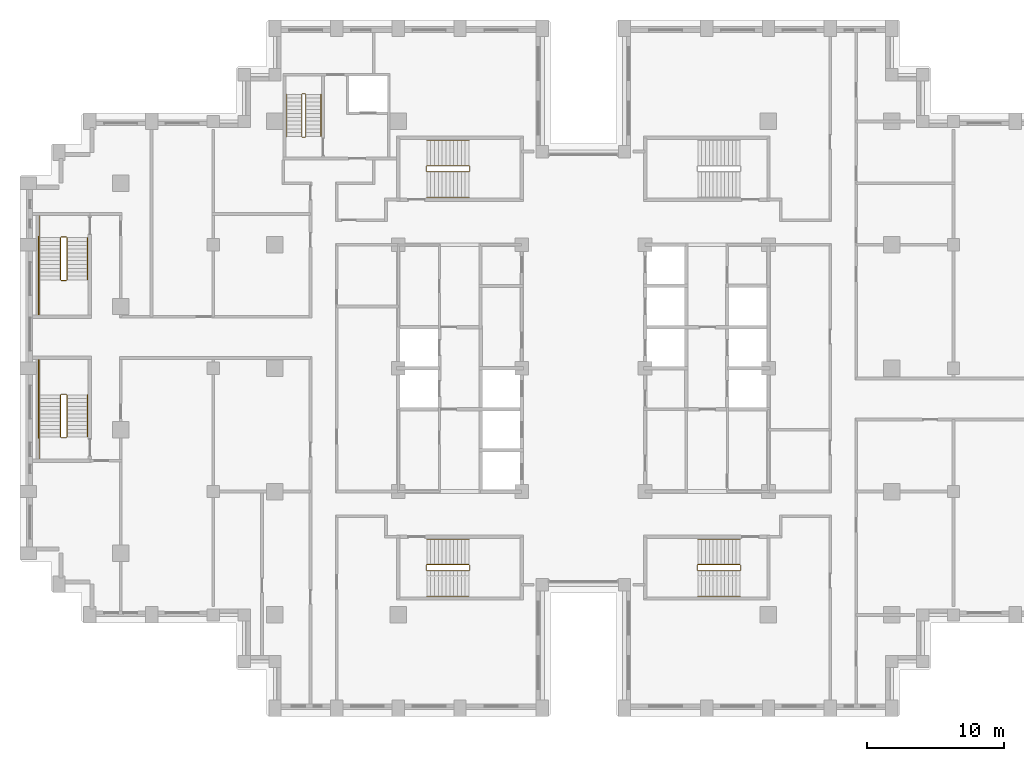
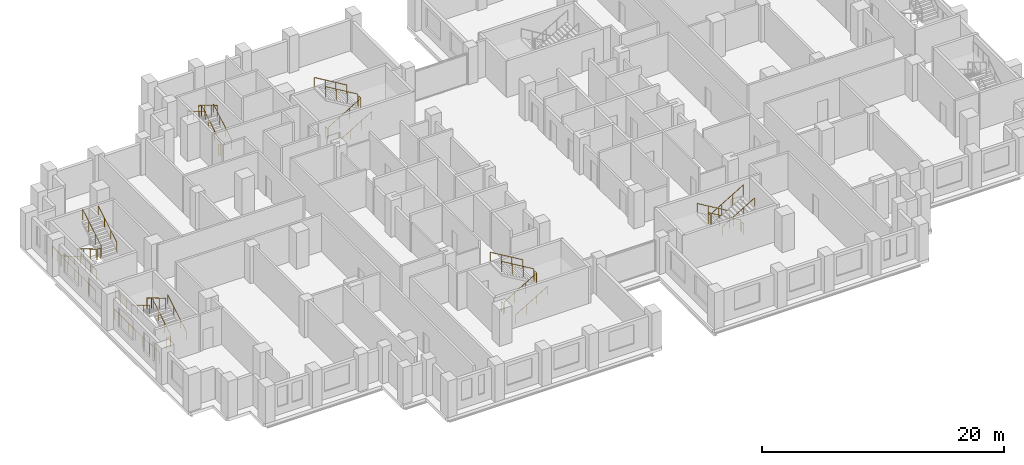
# One storey, part 14 of 15: 6 railings.
"""IFC4 building model written with IfcOpenShell, lengths in metres."""

from ifc_helpers import new_model, si_unit, direction, frame, origin, origin_2d, place, context, subcontext, project, spatial, circle, extrude, material, type_object, element, save


model = new_model("IFC4")

# Units and contexts
model_context = context("Model", 3, precision=1e-05, world=origin(), true_north=direction((0.0, 1.0)))
body_context = subcontext(model_context, "Body", "Model", "MODEL_VIEW")
ifc_project = project(units=[si_unit("LENGTHUNIT", "METRE"), si_unit("AREAUNIT", "SQUARE_METRE"), si_unit("VOLUMEUNIT", "CUBIC_METRE"), si_unit("PLANEANGLEUNIT", "RADIAN"), si_unit("MASSUNIT", "GRAM", prefix="KILO")], contexts=[model_context])

# Site, building, storey
site_placement = place(None, origin())
site = spatial("IfcSite", under=ifc_project, at=site_placement, CompositionType="ELEMENT")
building_placement = place(site_placement, origin())
building = spatial("IfcBuilding", under=site, at=building_placement, Name="Corbelhall Arena Tower", CompositionType="ELEMENT")
storey_placement = place(building_placement, frame((0.0, 0.0, 96.0)))
storey = spatial("IfcBuildingStorey", under=building, at=storey_placement, Name="L16", CompositionType="ELEMENT", Elevation=96.0)

# Railings
ifc_material = material(Name="Steel ASTM A500 Gr C", Category="steel")
railing_type = type_object("IfcRailingType", Name="IN-GD-1100", PredefinedType="GUARDRAIL", material=ifc_material)
railing_1_placement = place(storey_placement, frame((-11.425048828125, 14.324951171875, 0.166748046875)))
element("IfcRailing", 1, at=railing_1_placement, inside=storey, type_object=railing_type, Name="L16 ST1 stair guards and handrails", PredefinedType="GUARDRAIL", context=body_context, shape_type="SweptSolid", body=[
    extrude(circle(Radius=0.02392578125, at=origin_2d()), frame((0.0, 0.0, 1.076171875), z_axis=(0.859308565015, 0.0, 0.511457515432), x_axis=(0.0, 1.0, 0.0)), (0.0, 0.0, 1.0), 3.58447265625),
    extrude(circle(Radius=0.02392578125, at=origin_2d()), frame((3.130126953125, 0.050048828125, 2.9091796875), z_axis=(0.0, 1.0, 0.0), x_axis=(-1.0, 0.0, 0.0)), (0.0, 0.0, 1.0), 0.35009765625),
    extrude(circle(Radius=0.02392578125, at=origin_2d()), frame((3.080078125, 0.449951171875, 3.076171875), z_axis=(-0.859308565015, 0.0, 0.511457515432), x_axis=(0.0, -1.0, 0.0)), (0.0, 0.0, 1.0), 3.58447265625),
    extrude(circle(Radius=0.02392578125, at=origin_2d()), frame((-0.050048828125, 0.050048828125, 0.9091796875), z_axis=(0.0, 1.0, 0.0), x_axis=(-1.0, 0.0, 0.0)), (0.0, 0.0, 1.0), 0.35009765625),
    extrude(circle(Radius=0.02392578125, at=origin_2d()), frame((0.0, -1.849853515625, 0.8759765625), z_axis=(0.859308565015, 0.0, 0.511457515432), x_axis=(0.0, 1.0, 0.0)), (0.0, 0.0, 1.0), 3.58447265625),
    extrude(circle(Radius=0.02392578125, at=origin_2d()), frame((3.080078125, 2.300048828125, 2.8759765625), z_axis=(-0.859308565015, 0.0, 0.511457515432), x_axis=(0.0, -1.0, 0.0)), (0.0, 0.0, 1.0), 3.58447265625),
    extrude(circle(Radius=0.02099609375, at=origin_2d()), origin(), (0.0, 0.0, 1.0), 1.052001953125),
    extrude(circle(Radius=0.02099609375, at=origin_2d()), frame((1.026611328125, 0.0, 0.611083984375)), (0.0, 0.0, 1.0), 1.052001953125),
    extrude(circle(Radius=0.02099609375, at=origin_2d()), frame((2.053466796875, 0.0, 1.22216796875)), (0.0, 0.0, 1.0), 1.052001953125),
    extrude(circle(Radius=0.02099609375, at=origin_2d()), frame((3.080078125, 0.0, 1.833251953125)), (0.0, 0.0, 1.0), 1.052001953125),
    extrude(circle(Radius=0.02099609375, at=origin_2d()), frame((3.130126953125, 0.050048828125, 1.833251953125)), (0.0, 0.0, 1.0), 1.052001953125),
    extrude(circle(Radius=0.02099609375, at=origin_2d()), frame((3.130126953125, 0.400146484375, 1.833251953125)), (0.0, 0.0, 1.0), 1.052001953125),
    extrude(circle(Radius=0.02099609375, at=origin_2d()), frame((3.080078125, 0.449951171875, 2.0)), (0.0, 0.0, 1.0), 1.052001953125),
    extrude(circle(Radius=0.02099609375, at=origin_2d()), frame((2.053466796875, 0.449951171875, 2.611083984375)), (0.0, 0.0, 1.0), 1.052001953125),
    extrude(circle(Radius=0.02099609375, at=origin_2d()), frame((1.026611328125, 0.449951171875, 3.22216796875)), (0.0, 0.0, 1.0), 1.052001953125),
    extrude(circle(Radius=0.02099609375, at=origin_2d()), frame((0.0, 0.449951171875, 3.833251953125)), (0.0, 0.0, 1.0), 1.052001953125),
    extrude(circle(Radius=0.02099609375, at=origin_2d()), frame((-0.050048828125, 0.050048828125, -0.166748046875)), (0.0, 0.0, 1.0), 1.052001953125),
    extrude(circle(Radius=0.02099609375, at=origin_2d()), frame((-0.050048828125, 0.400146484375, -0.166748046875)), (0.0, 0.0, 1.0), 1.052001953125),
    extrude(circle(Radius=0.02099609375, at=origin_2d()), frame((0.0, -1.849853515625, 0.0)), (0.0, 0.0, 1.0), 0.851806640625),
    extrude(circle(Radius=0.02099609375, at=origin_2d()), frame((1.026611328125, -1.849853515625, 0.611083984375)), (0.0, 0.0, 1.0), 0.851806640625),
    extrude(circle(Radius=0.02099609375, at=origin_2d()), frame((2.053466796875, -1.849853515625, 1.22216796875)), (0.0, 0.0, 1.0), 0.851806640625),
    extrude(circle(Radius=0.02099609375, at=origin_2d()), frame((3.080078125, -1.849853515625, 1.833251953125)), (0.0, 0.0, 1.0), 0.851806640625),
    extrude(circle(Radius=0.02099609375, at=origin_2d()), frame((3.080078125, 2.300048828125, 2.0)), (0.0, 0.0, 1.0), 0.851806640625),
    extrude(circle(Radius=0.02099609375, at=origin_2d()), frame((2.053466796875, 2.300048828125, 2.611083984375)), (0.0, 0.0, 1.0), 0.851806640625),
    extrude(circle(Radius=0.02099609375, at=origin_2d()), frame((1.026611328125, 2.300048828125, 3.22216796875)), (0.0, 0.0, 1.0), 0.851806640625),
    extrude(circle(Radius=0.02099609375, at=origin_2d()), frame((0.0, 2.300048828125, 3.833251953125)), (0.0, 0.0, 1.0), 0.851806640625),
])
railing_2_placement = place(storey_placement, frame((-11.425048828125, -14.77490234375, 0.166748046875)))
element("IfcRailing", 2, at=railing_2_placement, inside=storey, type_object=railing_type, Name="L16 ST2 stair guards and handrails", PredefinedType="GUARDRAIL", context=body_context, shape_type="SweptSolid", body=[
    extrude(circle(Radius=0.02392578125, at=origin_2d()), frame((0.0, 0.0, 1.076171875), z_axis=(0.859308565015, 0.0, 0.511457515432), x_axis=(0.0, 1.0, 0.0)), (0.0, 0.0, 1.0), 3.58447265625),
    extrude(circle(Radius=0.02392578125, at=origin_2d()), frame((3.130126953125, 0.0498046875, 2.9091796875), z_axis=(0.0, 1.0, 0.0), x_axis=(-1.0, 0.0, 0.0)), (0.0, 0.0, 1.0), 0.35009765625),
    extrude(circle(Radius=0.02392578125, at=origin_2d()), frame((3.080078125, 0.449951171875, 3.076171875), z_axis=(-0.859308565015, 0.0, 0.511457515432), x_axis=(0.0, -1.0, 0.0)), (0.0, 0.0, 1.0), 3.58447265625),
    extrude(circle(Radius=0.02392578125, at=origin_2d()), frame((-0.050048828125, 0.0498046875, 0.9091796875), z_axis=(0.0, 1.0, 0.0), x_axis=(-1.0, 0.0, 0.0)), (0.0, 0.0, 1.0), 0.35009765625),
    extrude(circle(Radius=0.02392578125, at=origin_2d()), frame((0.0, -1.85009765625, 0.8759765625), z_axis=(0.859308565015, 0.0, 0.511457515432), x_axis=(0.0, 1.0, 0.0)), (0.0, 0.0, 1.0), 3.58447265625),
    extrude(circle(Radius=0.02392578125, at=origin_2d()), frame((3.080078125, 2.2998046875, 2.8759765625), z_axis=(-0.859308565015, 0.0, 0.511457515432), x_axis=(0.0, -1.0, 0.0)), (0.0, 0.0, 1.0), 3.58447265625),
    extrude(circle(Radius=0.02099609375, at=origin_2d()), origin(), (0.0, 0.0, 1.0), 1.052001953125),
    extrude(circle(Radius=0.02099609375, at=origin_2d()), frame((1.026611328125, 0.0, 0.611083984375)), (0.0, 0.0, 1.0), 1.052001953125),
    extrude(circle(Radius=0.02099609375, at=origin_2d()), frame((2.053466796875, 0.0, 1.22216796875)), (0.0, 0.0, 1.0), 1.052001953125),
    extrude(circle(Radius=0.02099609375, at=origin_2d()), frame((3.080078125, 0.0, 1.833251953125)), (0.0, 0.0, 1.0), 1.052001953125),
    extrude(circle(Radius=0.02099609375, at=origin_2d()), frame((3.130126953125, 0.0498046875, 1.833251953125)), (0.0, 0.0, 1.0), 1.052001953125),
    extrude(circle(Radius=0.02099609375, at=origin_2d()), frame((3.130126953125, 0.39990234375, 1.833251953125)), (0.0, 0.0, 1.0), 1.052001953125),
    extrude(circle(Radius=0.02099609375, at=origin_2d()), frame((3.080078125, 0.449951171875, 2.0)), (0.0, 0.0, 1.0), 1.052001953125),
    extrude(circle(Radius=0.02099609375, at=origin_2d()), frame((2.053466796875, 0.449951171875, 2.611083984375)), (0.0, 0.0, 1.0), 1.052001953125),
    extrude(circle(Radius=0.02099609375, at=origin_2d()), frame((1.026611328125, 0.449951171875, 3.22216796875)), (0.0, 0.0, 1.0), 1.052001953125),
    extrude(circle(Radius=0.02099609375, at=origin_2d()), frame((0.0, 0.449951171875, 3.833251953125)), (0.0, 0.0, 1.0), 1.052001953125),
    extrude(circle(Radius=0.02099609375, at=origin_2d()), frame((-0.050048828125, 0.0498046875, -0.166748046875)), (0.0, 0.0, 1.0), 1.052001953125),
    extrude(circle(Radius=0.02099609375, at=origin_2d()), frame((-0.050048828125, 0.39990234375, -0.166748046875)), (0.0, 0.0, 1.0), 1.052001953125),
    extrude(circle(Radius=0.02099609375, at=origin_2d()), frame((0.0, -1.85009765625, 0.0)), (0.0, 0.0, 1.0), 0.851806640625),
    extrude(circle(Radius=0.02099609375, at=origin_2d()), frame((1.026611328125, -1.85009765625, 0.611083984375)), (0.0, 0.0, 1.0), 0.851806640625),
    extrude(circle(Radius=0.02099609375, at=origin_2d()), frame((2.053466796875, -1.85009765625, 1.22216796875)), (0.0, 0.0, 1.0), 0.851806640625),
    extrude(circle(Radius=0.02099609375, at=origin_2d()), frame((3.080078125, -1.85009765625, 1.833251953125)), (0.0, 0.0, 1.0), 0.851806640625),
    extrude(circle(Radius=0.02099609375, at=origin_2d()), frame((3.080078125, 2.2998046875, 2.0)), (0.0, 0.0, 1.0), 0.851806640625),
    extrude(circle(Radius=0.02099609375, at=origin_2d()), frame((2.053466796875, 2.2998046875, 2.611083984375)), (0.0, 0.0, 1.0), 0.851806640625),
    extrude(circle(Radius=0.02099609375, at=origin_2d()), frame((1.026611328125, 2.2998046875, 3.22216796875)), (0.0, 0.0, 1.0), 0.851806640625),
    extrude(circle(Radius=0.02099609375, at=origin_2d()), frame((0.0, 2.2998046875, 3.833251953125)), (0.0, 0.0, 1.0), 0.851806640625),
])
railing_3_placement = place(storey_placement, frame((11.425048828125, -14.324951171875, 0.166748046875)))
element("IfcRailing", 3, at=railing_3_placement, inside=storey, type_object=railing_type, Name="L16 ST4 stair guards and handrails", PredefinedType="GUARDRAIL", context=body_context, shape_type="SweptSolid", body=[
    extrude(circle(Radius=0.02392578125, at=origin_2d()), frame((0.0, 0.0, 1.076171875), z_axis=(-0.859308565015, 0.0, 0.511457515432), x_axis=(0.0, -1.0, 0.0)), (0.0, 0.0, 1.0), 3.58447265625),
    extrude(circle(Radius=0.02392578125, at=origin_2d()), frame((-3.130126953125, -0.050048828125, 2.9091796875), z_axis=(0.0, -1.0, 0.0), x_axis=(1.0, 0.0, 0.0)), (0.0, 0.0, 1.0), 0.35009765625),
    extrude(circle(Radius=0.02392578125, at=origin_2d()), frame((-3.080078125, -0.449951171875, 3.076171875), z_axis=(0.859308565015, 0.0, 0.511457515432), x_axis=(0.0, 1.0, 0.0)), (0.0, 0.0, 1.0), 3.58447265625),
    extrude(circle(Radius=0.02392578125, at=origin_2d()), frame((0.050048828125, -0.050048828125, 0.9091796875), z_axis=(0.0, -1.0, 0.0), x_axis=(1.0, 0.0, 0.0)), (0.0, 0.0, 1.0), 0.35009765625),
    extrude(circle(Radius=0.02392578125, at=origin_2d()), frame((0.0, 1.849853515625, 0.8759765625), z_axis=(-0.859308565015, 0.0, 0.511457515432), x_axis=(0.0, -1.0, 0.0)), (0.0, 0.0, 1.0), 3.58447265625),
    extrude(circle(Radius=0.02392578125, at=origin_2d()), frame((-3.080078125, -2.300048828125, 2.8759765625), z_axis=(0.859308565015, 0.0, 0.511457515432), x_axis=(0.0, 1.0, 0.0)), (0.0, 0.0, 1.0), 3.58447265625),
    extrude(circle(Radius=0.02099609375, at=origin_2d()), origin(), (0.0, 0.0, 1.0), 1.052001953125),
    extrude(circle(Radius=0.02099609375, at=origin_2d()), frame((-1.026611328125, 0.0, 0.611083984375)), (0.0, 0.0, 1.0), 1.052001953125),
    extrude(circle(Radius=0.02099609375, at=origin_2d()), frame((-2.053466796875, 0.0, 1.22216796875)), (0.0, 0.0, 1.0), 1.052001953125),
    extrude(circle(Radius=0.02099609375, at=origin_2d()), frame((-3.080078125, 0.0, 1.833251953125)), (0.0, 0.0, 1.0), 1.052001953125),
    extrude(circle(Radius=0.02099609375, at=origin_2d()), frame((-3.130126953125, -0.050048828125, 1.833251953125)), (0.0, 0.0, 1.0), 1.052001953125),
    extrude(circle(Radius=0.02099609375, at=origin_2d()), frame((-3.130126953125, -0.400146484375, 1.833251953125)), (0.0, 0.0, 1.0), 1.052001953125),
    extrude(circle(Radius=0.02099609375, at=origin_2d()), frame((-3.080078125, -0.449951171875, 2.0)), (0.0, 0.0, 1.0), 1.052001953125),
    extrude(circle(Radius=0.02099609375, at=origin_2d()), frame((-2.053466796875, -0.449951171875, 2.611083984375)), (0.0, 0.0, 1.0), 1.052001953125),
    extrude(circle(Radius=0.02099609375, at=origin_2d()), frame((-1.026611328125, -0.449951171875, 3.22216796875)), (0.0, 0.0, 1.0), 1.052001953125),
    extrude(circle(Radius=0.02099609375, at=origin_2d()), frame((0.0, -0.449951171875, 3.833251953125)), (0.0, 0.0, 1.0), 1.052001953125),
    extrude(circle(Radius=0.02099609375, at=origin_2d()), frame((0.050048828125, -0.050048828125, -0.166748046875)), (0.0, 0.0, 1.0), 1.052001953125),
    extrude(circle(Radius=0.02099609375, at=origin_2d()), frame((0.050048828125, -0.400146484375, -0.166748046875)), (0.0, 0.0, 1.0), 1.052001953125),
    extrude(circle(Radius=0.02099609375, at=origin_2d()), frame((0.0, 1.849853515625, 0.0)), (0.0, 0.0, 1.0), 0.851806640625),
    extrude(circle(Radius=0.02099609375, at=origin_2d()), frame((-1.026611328125, 1.849853515625, 0.611083984375)), (0.0, 0.0, 1.0), 0.851806640625),
    extrude(circle(Radius=0.02099609375, at=origin_2d()), frame((-2.053466796875, 1.849853515625, 1.22216796875)), (0.0, 0.0, 1.0), 0.851806640625),
    extrude(circle(Radius=0.02099609375, at=origin_2d()), frame((-3.080078125, 1.849853515625, 1.833251953125)), (0.0, 0.0, 1.0), 0.851806640625),
    extrude(circle(Radius=0.02099609375, at=origin_2d()), frame((-3.080078125, -2.300048828125, 2.0)), (0.0, 0.0, 1.0), 0.851806640625),
    extrude(circle(Radius=0.02099609375, at=origin_2d()), frame((-2.053466796875, -2.300048828125, 2.611083984375)), (0.0, 0.0, 1.0), 0.851806640625),
    extrude(circle(Radius=0.02099609375, at=origin_2d()), frame((-1.026611328125, -2.300048828125, 3.22216796875)), (0.0, 0.0, 1.0), 0.851806640625),
    extrude(circle(Radius=0.02099609375, at=origin_2d()), frame((0.0, -2.300048828125, 3.833251953125)), (0.0, 0.0, 1.0), 0.851806640625),
])
railing_4_placement = place(storey_placement, frame((-38.14990234375, 9.52490234375, 0.166748046875)))
element("IfcRailing", 4, at=railing_4_placement, inside=storey, type_object=railing_type, Name="L16 SC1 stair guards and handrails", PredefinedType="GUARDRAIL", context=body_context, shape_type="SweptSolid", body=[
    extrude(circle(Radius=0.02392578125, at=origin_2d()), frame((0.0, 0.0, 1.076171875), z_axis=(0.0, -0.859290745958, 0.51148745235), x_axis=(1.0, 0.0, 0.0)), (0.0, 0.0, 1.0), 3.584228515625),
    extrude(circle(Radius=0.02392578125, at=origin_2d()), frame((0.0498046875, -3.1298828125, 2.9091796875), z_axis=(1.0, 0.0, 0.0), x_axis=(0.0, 1.0, 0.0)), (0.0, 0.0, 1.0), 0.375),
    extrude(circle(Radius=0.02392578125, at=origin_2d()), frame((-1.5, -3.079833984375, 2.9091796875), z_axis=(0.0, -1.0, 0.0), x_axis=(1.0, 0.0, 0.0)), (0.0, 0.0, 1.0), 2.570068359375),
    extrude(circle(Radius=0.02392578125, at=origin_2d()), frame((0.474853515625, -3.079833984375, 3.076171875), z_axis=(0.0, 0.859290745958, 0.51148745235), x_axis=(-1.0, 0.0, 0.0)), (0.0, 0.0, 1.0), 3.584228515625),
    extrude(circle(Radius=0.02392578125, at=origin_2d()), frame((0.0498046875, 0.050048828125, 0.9091796875), z_axis=(1.0, 0.0, 0.0), x_axis=(0.0, 1.0, 0.0)), (0.0, 0.0, 1.0), 0.375),
    extrude(circle(Radius=0.02392578125, at=origin_2d()), frame((-1.5, 1.60009765625, 0.9091796875), z_axis=(0.0, -1.0, 0.0), x_axis=(1.0, 0.0, 0.0)), (0.0, 0.0, 1.0), 1.60009765625),
    extrude(circle(Radius=0.02392578125, at=origin_2d()), frame((-1.60009765625, 0.10009765625, 0.9091796875), z_axis=(0.0, -1.0, 0.0), x_axis=(1.0, 0.0, 0.0)), (0.0, 0.0, 1.0), 5.85009765625),
    extrude(circle(Radius=0.02392578125, at=origin_2d()), frame((-1.5, 0.0, 0.8759765625), z_axis=(0.0, -0.859290745958, 0.51148745235), x_axis=(1.0, 0.0, 0.0)), (0.0, 0.0, 1.0), 3.584228515625),
    extrude(circle(Radius=0.02392578125, at=origin_2d()), frame((1.974853515625, -3.079833984375, 2.8759765625), z_axis=(0.0, 0.859290745958, 0.51148745235), x_axis=(-1.0, 0.0, 0.0)), (0.0, 0.0, 1.0), 3.584228515625),
    extrude(circle(Radius=0.02099609375, at=origin_2d()), origin(), (0.0, 0.0, 1.0), 1.052001953125),
    extrude(circle(Radius=0.02099609375, at=origin_2d()), frame((0.0, -1.026611328125, 0.611083984375)), (0.0, 0.0, 1.0), 1.052001953125),
    extrude(circle(Radius=0.02099609375, at=origin_2d()), frame((0.0, -2.05322265625, 1.22216796875)), (0.0, 0.0, 1.0), 1.052001953125),
    extrude(circle(Radius=0.02099609375, at=origin_2d()), frame((0.0, -3.079833984375, 1.833251953125)), (0.0, 0.0, 1.0), 1.052001953125),
    extrude(circle(Radius=0.02099609375, at=origin_2d()), frame((0.0498046875, -3.1298828125, 1.833251953125)), (0.0, 0.0, 1.0), 1.052001953125),
    extrude(circle(Radius=0.02099609375, at=origin_2d()), frame((0.4248046875, -3.1298828125, 1.833251953125)), (0.0, 0.0, 1.0), 1.052001953125),
    extrude(circle(Radius=0.02099609375, at=origin_2d()), frame((-1.5, -3.079833984375, 1.833251953125)), (0.0, 0.0, 1.0), 1.052001953125),
    extrude(circle(Radius=0.02099609375, at=origin_2d()), frame((-1.5, -3.9365234375, 1.833251953125)), (0.0, 0.0, 1.0), 1.052001953125),
    extrude(circle(Radius=0.02099609375, at=origin_2d()), frame((-1.5, -4.793212890625, 1.833251953125)), (0.0, 0.0, 1.0), 1.052001953125),
    extrude(circle(Radius=0.02099609375, at=origin_2d()), frame((-1.5, -5.64990234375, 1.833251953125)), (0.0, 0.0, 1.0), 1.052001953125),
    extrude(circle(Radius=0.02099609375, at=origin_2d()), frame((0.474853515625, -3.079833984375, 2.0)), (0.0, 0.0, 1.0), 1.052001953125),
    extrude(circle(Radius=0.02099609375, at=origin_2d()), frame((0.474853515625, -2.05322265625, 2.611083984375)), (0.0, 0.0, 1.0), 1.052001953125),
    extrude(circle(Radius=0.02099609375, at=origin_2d()), frame((0.474853515625, -1.026611328125, 3.22216796875)), (0.0, 0.0, 1.0), 1.052001953125),
    extrude(circle(Radius=0.02099609375, at=origin_2d()), frame((0.474853515625, 0.0, 3.833251953125)), (0.0, 0.0, 1.0), 1.052001953125),
    extrude(circle(Radius=0.02099609375, at=origin_2d()), frame((0.0498046875, 0.050048828125, -0.166748046875)), (0.0, 0.0, 1.0), 1.052001953125),
    extrude(circle(Radius=0.02099609375, at=origin_2d()), frame((0.4248046875, 0.050048828125, -0.166748046875)), (0.0, 0.0, 1.0), 1.052001953125),
    extrude(circle(Radius=0.02099609375, at=origin_2d()), frame((-1.5, 1.60009765625, -0.166748046875)), (0.0, 0.0, 1.0), 1.052001953125),
    extrude(circle(Radius=0.02099609375, at=origin_2d()), frame((-1.5, 0.800048828125, -0.166748046875)), (0.0, 0.0, 1.0), 1.052001953125),
    extrude(circle(Radius=0.02099609375, at=origin_2d()), frame((-1.5, 0.0, -0.166748046875)), (0.0, 0.0, 1.0), 1.052001953125),
    extrude(circle(Radius=0.02099609375, at=origin_2d()), frame((-1.60009765625, 0.10009765625, -0.166748046875)), (0.0, 0.0, 1.0), 1.052001953125),
    extrude(circle(Radius=0.02099609375, at=origin_2d()), frame((-1.60009765625, -1.06982421875, -0.166748046875)), (0.0, 0.0, 1.0), 1.052001953125),
    extrude(circle(Radius=0.02099609375, at=origin_2d()), frame((-1.60009765625, -2.239990234375, -0.166748046875)), (0.0, 0.0, 1.0), 1.052001953125),
    extrude(circle(Radius=0.02099609375, at=origin_2d()), frame((-1.60009765625, -3.409912109375, -0.166748046875)), (0.0, 0.0, 1.0), 1.052001953125),
    extrude(circle(Radius=0.02099609375, at=origin_2d()), frame((-1.60009765625, -4.580078125, -0.166748046875)), (0.0, 0.0, 1.0), 1.052001953125),
    extrude(circle(Radius=0.02099609375, at=origin_2d()), frame((-1.60009765625, -5.75, -0.166748046875)), (0.0, 0.0, 1.0), 1.052001953125),
    extrude(circle(Radius=0.02099609375, at=origin_2d()), frame((-1.5, 0.0, 0.0)), (0.0, 0.0, 1.0), 0.851806640625),
    extrude(circle(Radius=0.02099609375, at=origin_2d()), frame((-1.5, -1.026611328125, 0.611083984375)), (0.0, 0.0, 1.0), 0.851806640625),
    extrude(circle(Radius=0.02099609375, at=origin_2d()), frame((-1.5, -2.05322265625, 1.22216796875)), (0.0, 0.0, 1.0), 0.851806640625),
    extrude(circle(Radius=0.02099609375, at=origin_2d()), frame((1.974853515625, -3.079833984375, 2.0)), (0.0, 0.0, 1.0), 0.851806640625),
    extrude(circle(Radius=0.02099609375, at=origin_2d()), frame((1.974853515625, -2.05322265625, 2.611083984375)), (0.0, 0.0, 1.0), 0.851806640625),
    extrude(circle(Radius=0.02099609375, at=origin_2d()), frame((1.974853515625, -1.026611328125, 3.22216796875)), (0.0, 0.0, 1.0), 0.851806640625),
    extrude(circle(Radius=0.02099609375, at=origin_2d()), frame((1.974853515625, 0.0, 3.833251953125)), (0.0, 0.0, 1.0), 0.851806640625),
])
railing_5_placement = place(storey_placement, frame((-37.675048828125, -5.02490234375, 0.166748046875)))
element("IfcRailing", 5, at=railing_5_placement, inside=storey, type_object=railing_type, Name="L16 SC2 stair guards and handrails", PredefinedType="GUARDRAIL", context=body_context, shape_type="SweptSolid", body=[
    extrude(circle(Radius=0.02392578125, at=origin_2d()), frame((0.0, 0.0, 1.076171875), z_axis=(0.0, 0.859290745958, 0.51148745235), x_axis=(-1.0, 0.0, 0.0)), (0.0, 0.0, 1.0), 3.584228515625),
    extrude(circle(Radius=0.02392578125, at=origin_2d()), frame((-0.050048828125, 3.1298828125, 2.9091796875), z_axis=(-1.0, 0.0, 0.0), x_axis=(0.0, -1.0, 0.0)), (0.0, 0.0, 1.0), 0.375),
    extrude(circle(Radius=0.02392578125, at=origin_2d()), frame((-1.974853515625, 3.079833984375, 2.9091796875), z_axis=(0.0, 1.0, 0.0), x_axis=(-1.0, 0.0, 0.0)), (0.0, 0.0, 1.0), 2.570068359375),
    extrude(circle(Radius=0.02392578125, at=origin_2d()), frame((-0.474853515625, 3.079833984375, 3.076171875), z_axis=(0.0, -0.859290745958, 0.51148745235), x_axis=(1.0, 0.0, 0.0)), (0.0, 0.0, 1.0), 3.584228515625),
    extrude(circle(Radius=0.02392578125, at=origin_2d()), frame((-0.050048828125, -0.050048828125, 0.9091796875), z_axis=(-1.0, 0.0, 0.0), x_axis=(0.0, -1.0, 0.0)), (0.0, 0.0, 1.0), 0.375),
    extrude(circle(Radius=0.02392578125, at=origin_2d()), frame((-1.974853515625, -1.60009765625, 0.9091796875), z_axis=(0.0, 1.0, 0.0), x_axis=(-1.0, 0.0, 0.0)), (0.0, 0.0, 1.0), 1.60009765625),
    extrude(circle(Radius=0.02392578125, at=origin_2d()), frame((-2.074951171875, -0.10009765625, 0.9091796875), z_axis=(0.0, 1.0, 0.0), x_axis=(-1.0, 0.0, 0.0)), (0.0, 0.0, 1.0), 5.85009765625),
    extrude(circle(Radius=0.02392578125, at=origin_2d()), frame((1.5, 0.0, 0.8759765625), z_axis=(0.0, 0.859290745958, 0.51148745235), x_axis=(-1.0, 0.0, 0.0)), (0.0, 0.0, 1.0), 3.584228515625),
    extrude(circle(Radius=0.02392578125, at=origin_2d()), frame((-1.974853515625, 3.079833984375, 2.8759765625), z_axis=(0.0, -0.859290745958, 0.51148745235), x_axis=(1.0, 0.0, 0.0)), (0.0, 0.0, 1.0), 3.584228515625),
    extrude(circle(Radius=0.02099609375, at=origin_2d()), origin(), (0.0, 0.0, 1.0), 1.052001953125),
    extrude(circle(Radius=0.02099609375, at=origin_2d()), frame((0.0, 1.026611328125, 0.611083984375)), (0.0, 0.0, 1.0), 1.052001953125),
    extrude(circle(Radius=0.02099609375, at=origin_2d()), frame((0.0, 2.05322265625, 1.22216796875)), (0.0, 0.0, 1.0), 1.052001953125),
    extrude(circle(Radius=0.02099609375, at=origin_2d()), frame((0.0, 3.079833984375, 1.833251953125)), (0.0, 0.0, 1.0), 1.052001953125),
    extrude(circle(Radius=0.02099609375, at=origin_2d()), frame((-0.050048828125, 3.1298828125, 1.833251953125)), (0.0, 0.0, 1.0), 1.052001953125),
    extrude(circle(Radius=0.02099609375, at=origin_2d()), frame((-0.425048828125, 3.1298828125, 1.833251953125)), (0.0, 0.0, 1.0), 1.052001953125),
    extrude(circle(Radius=0.02099609375, at=origin_2d()), frame((-1.974853515625, 3.079833984375, 1.833251953125)), (0.0, 0.0, 1.0), 1.052001953125),
    extrude(circle(Radius=0.02099609375, at=origin_2d()), frame((-1.974853515625, 3.9365234375, 1.833251953125)), (0.0, 0.0, 1.0), 1.052001953125),
    extrude(circle(Radius=0.02099609375, at=origin_2d()), frame((-1.974853515625, 4.793212890625, 1.833251953125)), (0.0, 0.0, 1.0), 1.052001953125),
    extrude(circle(Radius=0.02099609375, at=origin_2d()), frame((-1.974853515625, 5.64990234375, 1.833251953125)), (0.0, 0.0, 1.0), 1.052001953125),
    extrude(circle(Radius=0.02099609375, at=origin_2d()), frame((-0.474853515625, 3.079833984375, 2.0)), (0.0, 0.0, 1.0), 1.052001953125),
    extrude(circle(Radius=0.02099609375, at=origin_2d()), frame((-0.474853515625, 2.05322265625, 2.611083984375)), (0.0, 0.0, 1.0), 1.052001953125),
    extrude(circle(Radius=0.02099609375, at=origin_2d()), frame((-0.474853515625, 1.026611328125, 3.22216796875)), (0.0, 0.0, 1.0), 1.052001953125),
    extrude(circle(Radius=0.02099609375, at=origin_2d()), frame((-0.474853515625, 0.0, 3.833251953125)), (0.0, 0.0, 1.0), 1.052001953125),
    extrude(circle(Radius=0.02099609375, at=origin_2d()), frame((-0.050048828125, -0.050048828125, -0.166748046875)), (0.0, 0.0, 1.0), 1.052001953125),
    extrude(circle(Radius=0.02099609375, at=origin_2d()), frame((-0.425048828125, -0.050048828125, -0.166748046875)), (0.0, 0.0, 1.0), 1.052001953125),
    extrude(circle(Radius=0.02099609375, at=origin_2d()), frame((-1.974853515625, -1.60009765625, -0.166748046875)), (0.0, 0.0, 1.0), 1.052001953125),
    extrude(circle(Radius=0.02099609375, at=origin_2d()), frame((-1.974853515625, -0.800048828125, -0.166748046875)), (0.0, 0.0, 1.0), 1.052001953125),
    extrude(circle(Radius=0.02099609375, at=origin_2d()), frame((-1.974853515625, 0.0, -0.166748046875)), (0.0, 0.0, 1.0), 1.052001953125),
    extrude(circle(Radius=0.02099609375, at=origin_2d()), frame((-2.074951171875, -0.10009765625, -0.166748046875)), (0.0, 0.0, 1.0), 1.052001953125),
    extrude(circle(Radius=0.02099609375, at=origin_2d()), frame((-2.074951171875, 1.06982421875, -0.166748046875)), (0.0, 0.0, 1.0), 1.052001953125),
    extrude(circle(Radius=0.02099609375, at=origin_2d()), frame((-2.074951171875, 2.239990234375, -0.166748046875)), (0.0, 0.0, 1.0), 1.052001953125),
    extrude(circle(Radius=0.02099609375, at=origin_2d()), frame((-2.074951171875, 3.409912109375, -0.166748046875)), (0.0, 0.0, 1.0), 1.052001953125),
    extrude(circle(Radius=0.02099609375, at=origin_2d()), frame((-2.074951171875, 4.580078125, -0.166748046875)), (0.0, 0.0, 1.0), 1.052001953125),
    extrude(circle(Radius=0.02099609375, at=origin_2d()), frame((-2.074951171875, 5.75, -0.166748046875)), (0.0, 0.0, 1.0), 1.052001953125),
    extrude(circle(Radius=0.02099609375, at=origin_2d()), frame((1.5, 0.0, 0.0)), (0.0, 0.0, 1.0), 0.851806640625),
    extrude(circle(Radius=0.02099609375, at=origin_2d()), frame((1.5, 1.026611328125, 0.611083984375)), (0.0, 0.0, 1.0), 0.851806640625),
    extrude(circle(Radius=0.02099609375, at=origin_2d()), frame((1.5, 2.05322265625, 1.22216796875)), (0.0, 0.0, 1.0), 0.851806640625),
    extrude(circle(Radius=0.02099609375, at=origin_2d()), frame((1.5, 3.079833984375, 1.833251953125)), (0.0, 0.0, 1.0), 0.851806640625),
    extrude(circle(Radius=0.02099609375, at=origin_2d()), frame((-1.974853515625, 3.079833984375, 2.0)), (0.0, 0.0, 1.0), 0.851806640625),
    extrude(circle(Radius=0.02099609375, at=origin_2d()), frame((-1.974853515625, 2.05322265625, 2.611083984375)), (0.0, 0.0, 1.0), 0.851806640625),
    extrude(circle(Radius=0.02099609375, at=origin_2d()), frame((-1.974853515625, 1.026611328125, 3.22216796875)), (0.0, 0.0, 1.0), 0.851806640625),
    extrude(circle(Radius=0.02099609375, at=origin_2d()), frame((-1.974853515625, 0.0, 3.833251953125)), (0.0, 0.0, 1.0), 0.851806640625),
])
railing_6_placement = place(storey_placement, frame((-20.2451171875, 16.89990234375, 0.166748046875)))
element("IfcRailing", 6, at=railing_6_placement, inside=storey, type_object=railing_type, Name="L16 ST5 stair guards and handrails", PredefinedType="GUARDRAIL", context=body_context, shape_type="SweptSolid", body=[
    extrude(circle(Radius=0.02392578125, at=origin_2d()), frame((0.0, 0.0, 1.076171875), z_axis=(0.0, 0.859308565015, 0.511457515432), x_axis=(-1.0, 0.0, 0.0)), (0.0, 0.0, 1.0), 3.58447265625),
    extrude(circle(Radius=0.02392578125, at=origin_2d()), frame((-0.0498046875, 3.130126953125, 2.9091796875), z_axis=(-1.0, 0.0, 0.0), x_axis=(0.0, -1.0, 0.0)), (0.0, 0.0, 1.0), 0.2001953125),
    extrude(circle(Radius=0.02392578125, at=origin_2d()), frame((-0.2998046875, 3.080078125, 3.076171875), z_axis=(0.0, -0.859308565015, 0.511457515432), x_axis=(1.0, 0.0, 0.0)), (0.0, 0.0, 1.0), 3.58447265625),
    extrude(circle(Radius=0.02392578125, at=origin_2d()), frame((-0.0498046875, -0.0498046875, 0.9091796875), z_axis=(-1.0, 0.0, 0.0), x_axis=(0.0, -1.0, 0.0)), (0.0, 0.0, 1.0), 0.2001953125),
    extrude(circle(Radius=0.02392578125, at=origin_2d()), frame((1.10009765625, 0.0, 0.8759765625), z_axis=(0.0, 0.859308565015, 0.511457515432), x_axis=(-1.0, 0.0, 0.0)), (0.0, 0.0, 1.0), 3.58447265625),
    extrude(circle(Radius=0.02392578125, at=origin_2d()), frame((-1.39990234375, 3.080078125, 2.8759765625), z_axis=(0.0, -0.859308565015, 0.511457515432), x_axis=(1.0, 0.0, 0.0)), (0.0, 0.0, 1.0), 3.58447265625),
    extrude(circle(Radius=0.02099609375, at=origin_2d()), origin(), (0.0, 0.0, 1.0), 1.052001953125),
    extrude(circle(Radius=0.02099609375, at=origin_2d()), frame((0.0, 1.026611328125, 0.611083984375)), (0.0, 0.0, 1.0), 1.052001953125),
    extrude(circle(Radius=0.02099609375, at=origin_2d()), frame((0.0, 2.053466796875, 1.22216796875)), (0.0, 0.0, 1.0), 1.052001953125),
    extrude(circle(Radius=0.02099609375, at=origin_2d()), frame((0.0, 3.080078125, 1.833251953125)), (0.0, 0.0, 1.0), 1.052001953125),
    extrude(circle(Radius=0.02099609375, at=origin_2d()), frame((-0.0498046875, 3.130126953125, 1.833251953125)), (0.0, 0.0, 1.0), 1.052001953125),
    extrude(circle(Radius=0.02099609375, at=origin_2d()), frame((-0.25, 3.130126953125, 1.833251953125)), (0.0, 0.0, 1.0), 1.052001953125),
    extrude(circle(Radius=0.02099609375, at=origin_2d()), frame((-0.2998046875, 3.080078125, 2.0)), (0.0, 0.0, 1.0), 1.052001953125),
    extrude(circle(Radius=0.02099609375, at=origin_2d()), frame((-0.2998046875, 2.053466796875, 2.611083984375)), (0.0, 0.0, 1.0), 1.052001953125),
    extrude(circle(Radius=0.02099609375, at=origin_2d()), frame((-0.2998046875, 1.026611328125, 3.22216796875)), (0.0, 0.0, 1.0), 1.052001953125),
    extrude(circle(Radius=0.02099609375, at=origin_2d()), frame((-0.2998046875, 0.0, 3.833251953125)), (0.0, 0.0, 1.0), 1.052001953125),
    extrude(circle(Radius=0.02099609375, at=origin_2d()), frame((-0.0498046875, -0.0498046875, -0.166748046875)), (0.0, 0.0, 1.0), 1.052001953125),
    extrude(circle(Radius=0.02099609375, at=origin_2d()), frame((-0.25, -0.0498046875, -0.166748046875)), (0.0, 0.0, 1.0), 1.052001953125),
    extrude(circle(Radius=0.02099609375, at=origin_2d()), frame((1.10009765625, 0.0, 0.0)), (0.0, 0.0, 1.0), 0.851806640625),
    extrude(circle(Radius=0.02099609375, at=origin_2d()), frame((1.10009765625, 1.026611328125, 0.611083984375)), (0.0, 0.0, 1.0), 0.851806640625),
    extrude(circle(Radius=0.02099609375, at=origin_2d()), frame((1.10009765625, 2.053466796875, 1.22216796875)), (0.0, 0.0, 1.0), 0.851806640625),
    extrude(circle(Radius=0.02099609375, at=origin_2d()), frame((1.10009765625, 3.080078125, 1.833251953125)), (0.0, 0.0, 1.0), 0.851806640625),
    extrude(circle(Radius=0.02099609375, at=origin_2d()), frame((-1.39990234375, 3.080078125, 2.0)), (0.0, 0.0, 1.0), 0.851806640625),
    extrude(circle(Radius=0.02099609375, at=origin_2d()), frame((-1.39990234375, 2.053466796875, 2.611083984375)), (0.0, 0.0, 1.0), 0.851806640625),
    extrude(circle(Radius=0.02099609375, at=origin_2d()), frame((-1.39990234375, 1.026611328125, 3.22216796875)), (0.0, 0.0, 1.0), 0.851806640625),
    extrude(circle(Radius=0.02099609375, at=origin_2d()), frame((-1.39990234375, 0.0, 3.833251953125)), (0.0, 0.0, 1.0), 0.851806640625),
])

save(model, "model.ifc")
